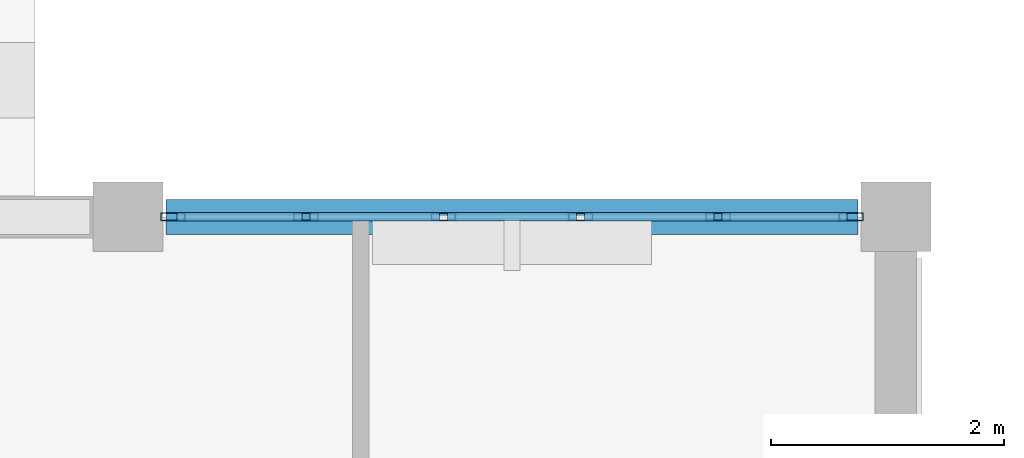
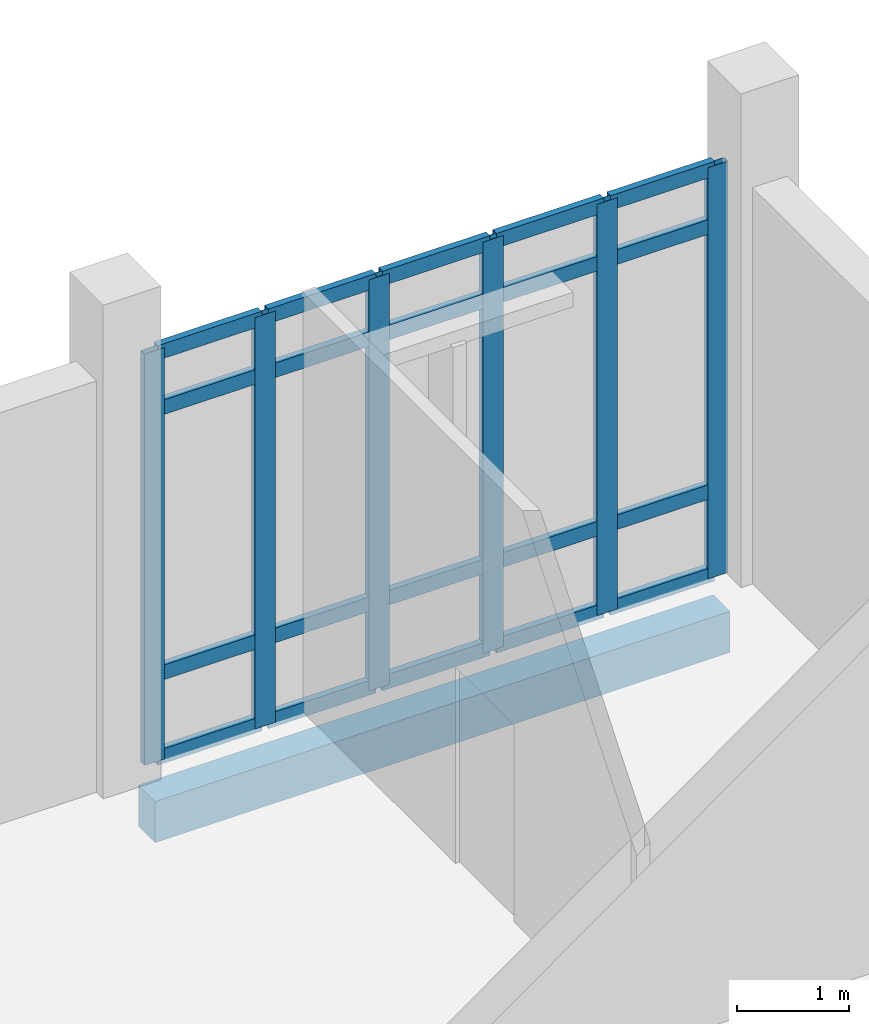
# One storey, part 61 of 110: 26 members, 1 beam, 1 element without a shape of its own.
"""IFC4 building model written with IfcOpenShell, lengths in metres."""

from ifc_helpers import new_model, si_unit, direction, frame, origin, origin_2d, place, context, subcontext, project, spatial, rectangle, hollow_rectangle, extrude, material, material_profile, profile_set, type_object, element, aggregate, save


model = new_model("IFC4")

# Units and contexts
model_context = context("Model", 3, precision=1e-05, world=origin(), true_north=direction((0.0, 1.0)))
body_context = subcontext(model_context, "Body", "Model", "MODEL_VIEW")
ifc_project = project(units=[si_unit("LENGTHUNIT", "METRE"), si_unit("AREAUNIT", "SQUARE_METRE"), si_unit("VOLUMEUNIT", "CUBIC_METRE"), si_unit("PLANEANGLEUNIT", "RADIAN"), si_unit("MASSUNIT", "GRAM", prefix="KILO")], contexts=[model_context])

# Site, building, storey
site_placement = place(None, origin())
site = spatial("IfcSite", under=ifc_project, at=site_placement, CompositionType="ELEMENT")
building_placement = place(site_placement, origin())
building = spatial("IfcBuilding", under=site, at=building_placement, Name="Kalluvel Institute of Natural Sciences", CompositionType="ELEMENT")
storey_placement = place(building_placement, origin())
storey = spatial("IfcBuildingStorey", under=building, at=storey_placement, Name="L00", CompositionType="ELEMENT", Elevation=0.0)

# Curtain wall, members
ifc_material_1 = material(Name="Aluminium AW-6063 T6", Category="aluminium")
curtain_wall_type = type_object("IfcCurtainWallType", Name="CW-SPAV-45", PredefinedType="USERDEFINED", material=ifc_material_1)
curtain_wall_placement = place(storey_placement, origin())
curtain_wall = element("IfcCurtainWall", 1, at=curtain_wall_placement, inside=storey, type_object=curtain_wall_type, Name="L00 Gothic lancet curtain wall CWA-L00-X1362-Y356", ObjectType="UNITISED LANCET FACADE", PredefinedType="USERDEFINED")
ifc_material_profile_1 = material_profile(ifc_material_1, hollow_rectangle(XDim=0.070068359375, YDim=0.2099609375, WallThickness=0.0048828125, at=origin_2d()), Name="CWM 70x210")
ifc_profile_set_1 = profile_set([ifc_material_profile_1], Name="Aluminium AW-6063 T6")
member_type_1 = type_object("IfcMemberType", Name="CWM-70x210", PredefinedType="MULLION", material=ifc_profile_set_1)
member_1_placement = place(storey_placement, frame((136.18505859375, 35.60009765625, 0.0), z_axis=(0.0, 0.0, 1.0), x_axis=(0.0, 1.0, 0.0)))
member_1 = element("IfcMember", 2, at=member_1_placement, type_object=member_type_1, Name="CW-10 mullion 1", PredefinedType="MULLION", context=body_context, shape_type="SweptSolid", body=[
    extrude(hollow_rectangle(XDim=0.070068359375, YDim=0.2099609375, WallThickness=0.0048828125, at=origin_2d()), origin(), (0.0, 0.0, 1.0), 4.5),
])
member_2_placement = place(storey_placement, frame((137.330078125, 35.60009765625, 0.0), z_axis=(0.0, 0.0, 1.0), x_axis=(0.0, 1.0, 0.0)))
member_2 = element("IfcMember", 3, at=member_2_placement, type_object=member_type_1, Name="CW-10 mullion 2", PredefinedType="MULLION", context=body_context, shape_type="SweptSolid", body=[
    extrude(hollow_rectangle(XDim=0.070068359375, YDim=0.2099609375, WallThickness=0.0048828125, at=origin_2d()), origin(), (0.0, 0.0, 1.0), 4.5),
])
member_3_placement = place(storey_placement, frame((138.510009765625, 35.60009765625, 0.0), z_axis=(0.0, 0.0, 1.0), x_axis=(0.0, 1.0, 0.0)))
member_3 = element("IfcMember", 4, at=member_3_placement, type_object=member_type_1, Name="CW-10 mullion 3", PredefinedType="MULLION", context=body_context, shape_type="SweptSolid", body=[
    extrude(hollow_rectangle(XDim=0.070068359375, YDim=0.2099609375, WallThickness=0.0048828125, at=origin_2d()), origin(), (0.0, 0.0, 1.0), 4.5),
])
member_4_placement = place(storey_placement, frame((139.68994140625, 35.60009765625, 0.0), z_axis=(0.0, 0.0, 1.0), x_axis=(0.0, 1.0, 0.0)))
member_4 = element("IfcMember", 5, at=member_4_placement, type_object=member_type_1, Name="CW-10 mullion 4", PredefinedType="MULLION", context=body_context, shape_type="SweptSolid", body=[
    extrude(hollow_rectangle(XDim=0.070068359375, YDim=0.2099609375, WallThickness=0.0048828125, at=origin_2d()), origin(), (0.0, 0.0, 1.0), 4.5),
])
member_5_placement = place(storey_placement, frame((140.8701171875, 35.60009765625, 0.0), z_axis=(0.0, 0.0, 1.0), x_axis=(0.0, 1.0, 0.0)))
member_5 = element("IfcMember", 6, at=member_5_placement, type_object=member_type_1, Name="CW-10 mullion 5", PredefinedType="MULLION", context=body_context, shape_type="SweptSolid", body=[
    extrude(hollow_rectangle(XDim=0.070068359375, YDim=0.2099609375, WallThickness=0.0048828125, at=origin_2d()), origin(), (0.0, 0.0, 1.0), 4.5),
])
member_6_placement = place(storey_placement, frame((142.014892578125, 35.60009765625, 0.0), z_axis=(0.0, 0.0, 1.0), x_axis=(0.0, 1.0, 0.0)))
member_6 = element("IfcMember", 7, at=member_6_placement, type_object=member_type_1, Name="CW-10 mullion 6", PredefinedType="MULLION", context=body_context, shape_type="SweptSolid", body=[
    extrude(hollow_rectangle(XDim=0.070068359375, YDim=0.2099609375, WallThickness=0.0048828125, at=origin_2d()), origin(), (0.0, 0.0, 1.0), 4.5),
])
ifc_material_profile_2 = material_profile(ifc_material_1, hollow_rectangle(XDim=0.070068359375, YDim=0.159912109375, WallThickness=0.0048828125, at=origin_2d()), Name="CWT 70x160")
ifc_profile_set_2 = profile_set([ifc_material_profile_2], Name="Aluminium AW-6063 T6")
member_type_2 = type_object("IfcMemberType", Name="CWT-70x160", PredefinedType="USERDEFINED", material=ifc_profile_set_2)
member_7_placement = place(storey_placement, frame((136.219970703125, 35.60009765625, 0.034912109375), z_axis=(1.0, 0.0, 0.0), x_axis=(0.0, 1.0, 0.0)))
member_7 = element("IfcMember", 8, at=member_7_placement, type_object=member_type_2, Name="CW-10 transom 1.1", ObjectType="TRANSOM", PredefinedType="USERDEFINED", context=body_context, shape_type="SweptSolid", body=[
    extrude(hollow_rectangle(XDim=0.070068359375, YDim=0.159912109375, WallThickness=0.0048828125, at=origin_2d()), origin(), (0.0, 0.0, 1.0), 1.074951171875),
])
member_8_placement = place(storey_placement, frame((136.219970703125, 35.60009765625, 0.949951171875), z_axis=(1.0, 0.0, 0.0), x_axis=(0.0, 1.0, 0.0)))
member_8 = element("IfcMember", 9, at=member_8_placement, type_object=member_type_2, Name="CW-10 transom 1.2", ObjectType="TRANSOM", PredefinedType="USERDEFINED", context=body_context, shape_type="SweptSolid", body=[
    extrude(hollow_rectangle(XDim=0.070068359375, YDim=0.159912109375, WallThickness=0.0048828125, at=origin_2d()), origin(), (0.0, 0.0, 1.0), 1.074951171875),
])
member_9_placement = place(storey_placement, frame((136.219970703125, 35.60009765625, 3.85009765625), z_axis=(1.0, 0.0, 0.0), x_axis=(0.0, 1.0, 0.0)))
member_9 = element("IfcMember", 10, at=member_9_placement, type_object=member_type_2, Name="CW-10 transom 1.3", ObjectType="TRANSOM", PredefinedType="USERDEFINED", context=body_context, shape_type="SweptSolid", body=[
    extrude(hollow_rectangle(XDim=0.070068359375, YDim=0.159912109375, WallThickness=0.0048828125, at=origin_2d()), origin(), (0.0, 0.0, 1.0), 1.074951171875),
])
member_10_placement = place(storey_placement, frame((136.219970703125, 35.60009765625, 4.465087890625), z_axis=(1.0, 0.0, 0.0), x_axis=(0.0, 1.0, 0.0)))
member_10 = element("IfcMember", 11, at=member_10_placement, type_object=member_type_2, Name="CW-10 transom 1.4", ObjectType="TRANSOM", PredefinedType="USERDEFINED", context=body_context, shape_type="SweptSolid", body=[
    extrude(hollow_rectangle(XDim=0.070068359375, YDim=0.159912109375, WallThickness=0.0048828125, at=origin_2d()), origin(), (0.0, 0.0, 1.0), 1.074951171875),
])
member_11_placement = place(storey_placement, frame((137.364990234375, 35.60009765625, 0.034912109375), z_axis=(1.0, 0.0, 0.0), x_axis=(0.0, 1.0, 0.0)))
member_11 = element("IfcMember", 12, at=member_11_placement, type_object=member_type_2, Name="CW-10 transom 2.1", ObjectType="TRANSOM", PredefinedType="USERDEFINED", context=body_context, shape_type="SweptSolid", body=[
    extrude(hollow_rectangle(XDim=0.070068359375, YDim=0.159912109375, WallThickness=0.0048828125, at=origin_2d()), origin(), (0.0, 0.0, 1.0), 1.110107421875),
])
member_12_placement = place(storey_placement, frame((137.364990234375, 35.60009765625, 0.949951171875), z_axis=(1.0, 0.0, 0.0), x_axis=(0.0, 1.0, 0.0)))
member_12 = element("IfcMember", 13, at=member_12_placement, type_object=member_type_2, Name="CW-10 transom 2.2", ObjectType="TRANSOM", PredefinedType="USERDEFINED", context=body_context, shape_type="SweptSolid", body=[
    extrude(hollow_rectangle(XDim=0.070068359375, YDim=0.159912109375, WallThickness=0.0048828125, at=origin_2d()), origin(), (0.0, 0.0, 1.0), 1.110107421875),
])
member_13_placement = place(storey_placement, frame((137.364990234375, 35.60009765625, 3.85009765625), z_axis=(1.0, 0.0, 0.0), x_axis=(0.0, 1.0, 0.0)))
member_13 = element("IfcMember", 14, at=member_13_placement, type_object=member_type_2, Name="CW-10 transom 2.3", ObjectType="TRANSOM", PredefinedType="USERDEFINED", context=body_context, shape_type="SweptSolid", body=[
    extrude(hollow_rectangle(XDim=0.070068359375, YDim=0.159912109375, WallThickness=0.0048828125, at=origin_2d()), origin(), (0.0, 0.0, 1.0), 1.110107421875),
])
member_14_placement = place(storey_placement, frame((137.364990234375, 35.60009765625, 4.465087890625), z_axis=(1.0, 0.0, 0.0), x_axis=(0.0, 1.0, 0.0)))
member_14 = element("IfcMember", 15, at=member_14_placement, type_object=member_type_2, Name="CW-10 transom 2.4", ObjectType="TRANSOM", PredefinedType="USERDEFINED", context=body_context, shape_type="SweptSolid", body=[
    extrude(hollow_rectangle(XDim=0.070068359375, YDim=0.159912109375, WallThickness=0.0048828125, at=origin_2d()), origin(), (0.0, 0.0, 1.0), 1.110107421875),
])
member_15_placement = place(storey_placement, frame((138.544921875, 35.60009765625, 0.034912109375), z_axis=(1.0, 0.0, 0.0), x_axis=(0.0, 1.0, 0.0)))
member_15 = element("IfcMember", 16, at=member_15_placement, type_object=member_type_2, Name="CW-10 transom 3.1", ObjectType="TRANSOM", PredefinedType="USERDEFINED", context=body_context, shape_type="SweptSolid", body=[
    extrude(hollow_rectangle(XDim=0.070068359375, YDim=0.159912109375, WallThickness=0.0048828125, at=origin_2d()), origin(), (0.0, 0.0, 1.0), 1.110107421875),
])
member_16_placement = place(storey_placement, frame((138.544921875, 35.60009765625, 0.949951171875), z_axis=(1.0, 0.0, 0.0), x_axis=(0.0, 1.0, 0.0)))
member_16 = element("IfcMember", 17, at=member_16_placement, type_object=member_type_2, Name="CW-10 transom 3.2", ObjectType="TRANSOM", PredefinedType="USERDEFINED", context=body_context, shape_type="SweptSolid", body=[
    extrude(hollow_rectangle(XDim=0.070068359375, YDim=0.159912109375, WallThickness=0.0048828125, at=origin_2d()), origin(), (0.0, 0.0, 1.0), 1.110107421875),
])
member_17_placement = place(storey_placement, frame((138.544921875, 35.60009765625, 3.85009765625), z_axis=(1.0, 0.0, 0.0), x_axis=(0.0, 1.0, 0.0)))
member_17 = element("IfcMember", 18, at=member_17_placement, type_object=member_type_2, Name="CW-10 transom 3.3", ObjectType="TRANSOM", PredefinedType="USERDEFINED", context=body_context, shape_type="SweptSolid", body=[
    extrude(hollow_rectangle(XDim=0.070068359375, YDim=0.159912109375, WallThickness=0.0048828125, at=origin_2d()), origin(), (0.0, 0.0, 1.0), 1.110107421875),
])
member_18_placement = place(storey_placement, frame((138.544921875, 35.60009765625, 4.465087890625), z_axis=(1.0, 0.0, 0.0), x_axis=(0.0, 1.0, 0.0)))
member_18 = element("IfcMember", 19, at=member_18_placement, type_object=member_type_2, Name="CW-10 transom 3.4", ObjectType="TRANSOM", PredefinedType="USERDEFINED", context=body_context, shape_type="SweptSolid", body=[
    extrude(hollow_rectangle(XDim=0.070068359375, YDim=0.159912109375, WallThickness=0.0048828125, at=origin_2d()), origin(), (0.0, 0.0, 1.0), 1.110107421875),
])
member_19_placement = place(storey_placement, frame((139.72509765625, 35.60009765625, 0.034912109375), z_axis=(1.0, 0.0, 0.0), x_axis=(0.0, 1.0, 0.0)))
member_19 = element("IfcMember", 20, at=member_19_placement, type_object=member_type_2, Name="CW-10 transom 4.1", ObjectType="TRANSOM", PredefinedType="USERDEFINED", context=body_context, shape_type="SweptSolid", body=[
    extrude(hollow_rectangle(XDim=0.070068359375, YDim=0.159912109375, WallThickness=0.0048828125, at=origin_2d()), origin(), (0.0, 0.0, 1.0), 1.10986328125),
])
member_20_placement = place(storey_placement, frame((139.72509765625, 35.60009765625, 0.949951171875), z_axis=(1.0, 0.0, 0.0), x_axis=(0.0, 1.0, 0.0)))
member_20 = element("IfcMember", 21, at=member_20_placement, type_object=member_type_2, Name="CW-10 transom 4.2", ObjectType="TRANSOM", PredefinedType="USERDEFINED", context=body_context, shape_type="SweptSolid", body=[
    extrude(hollow_rectangle(XDim=0.070068359375, YDim=0.159912109375, WallThickness=0.0048828125, at=origin_2d()), origin(), (0.0, 0.0, 1.0), 1.10986328125),
])
member_21_placement = place(storey_placement, frame((139.72509765625, 35.60009765625, 3.85009765625), z_axis=(1.0, 0.0, 0.0), x_axis=(0.0, 1.0, 0.0)))
member_21 = element("IfcMember", 22, at=member_21_placement, type_object=member_type_2, Name="CW-10 transom 4.3", ObjectType="TRANSOM", PredefinedType="USERDEFINED", context=body_context, shape_type="SweptSolid", body=[
    extrude(hollow_rectangle(XDim=0.070068359375, YDim=0.159912109375, WallThickness=0.0048828125, at=origin_2d()), origin(), (0.0, 0.0, 1.0), 1.10986328125),
])
member_22_placement = place(storey_placement, frame((139.72509765625, 35.60009765625, 4.465087890625), z_axis=(1.0, 0.0, 0.0), x_axis=(0.0, 1.0, 0.0)))
member_22 = element("IfcMember", 23, at=member_22_placement, type_object=member_type_2, Name="CW-10 transom 4.4", ObjectType="TRANSOM", PredefinedType="USERDEFINED", context=body_context, shape_type="SweptSolid", body=[
    extrude(hollow_rectangle(XDim=0.070068359375, YDim=0.159912109375, WallThickness=0.0048828125, at=origin_2d()), origin(), (0.0, 0.0, 1.0), 1.10986328125),
])
member_23_placement = place(storey_placement, frame((140.905029296875, 35.60009765625, 0.034912109375), z_axis=(1.0, 0.0, 0.0), x_axis=(0.0, 1.0, 0.0)))
member_23 = element("IfcMember", 24, at=member_23_placement, type_object=member_type_2, Name="CW-10 transom 5.1", ObjectType="TRANSOM", PredefinedType="USERDEFINED", context=body_context, shape_type="SweptSolid", body=[
    extrude(hollow_rectangle(XDim=0.070068359375, YDim=0.159912109375, WallThickness=0.0048828125, at=origin_2d()), origin(), (0.0, 0.0, 1.0), 1.074951171875),
])
member_24_placement = place(storey_placement, frame((140.905029296875, 35.60009765625, 0.949951171875), z_axis=(1.0, 0.0, 0.0), x_axis=(0.0, 1.0, 0.0)))
member_24 = element("IfcMember", 25, at=member_24_placement, type_object=member_type_2, Name="CW-10 transom 5.2", ObjectType="TRANSOM", PredefinedType="USERDEFINED", context=body_context, shape_type="SweptSolid", body=[
    extrude(hollow_rectangle(XDim=0.070068359375, YDim=0.159912109375, WallThickness=0.0048828125, at=origin_2d()), origin(), (0.0, 0.0, 1.0), 1.074951171875),
])
member_25_placement = place(storey_placement, frame((140.905029296875, 35.60009765625, 3.85009765625), z_axis=(1.0, 0.0, 0.0), x_axis=(0.0, 1.0, 0.0)))
member_25 = element("IfcMember", 26, at=member_25_placement, type_object=member_type_2, Name="CW-10 transom 5.3", ObjectType="TRANSOM", PredefinedType="USERDEFINED", context=body_context, shape_type="SweptSolid", body=[
    extrude(hollow_rectangle(XDim=0.070068359375, YDim=0.159912109375, WallThickness=0.0048828125, at=origin_2d()), origin(), (0.0, 0.0, 1.0), 1.074951171875),
])
member_26_placement = place(storey_placement, frame((140.905029296875, 35.60009765625, 4.465087890625), z_axis=(1.0, 0.0, 0.0), x_axis=(0.0, 1.0, 0.0)))
member_26 = element("IfcMember", 27, at=member_26_placement, type_object=member_type_2, Name="CW-10 transom 5.4", ObjectType="TRANSOM", PredefinedType="USERDEFINED", context=body_context, shape_type="SweptSolid", body=[
    extrude(hollow_rectangle(XDim=0.070068359375, YDim=0.159912109375, WallThickness=0.0048828125, at=origin_2d()), origin(), (0.0, 0.0, 1.0), 1.074951171875),
])
aggregate(curtain_wall, [member_1, member_2, member_3, member_4, member_5, member_6, member_7, member_8, member_9, member_10, member_11, member_12, member_13, member_14, member_15, member_16, member_17, member_18, member_19, member_20, member_21, member_22, member_23, member_24, member_25, member_26])

# Beam
ifc_material_2 = material(Name="Concrete M40", Category="concrete")
ifc_material_profile_3 = material_profile(ifc_material_2, rectangle(XDim=0.300048828125, YDim=0.449951171875, at=origin_2d()), Name="RCB 300x450")
ifc_profile_set_3 = profile_set([ifc_material_profile_3], Name="Concrete M40")
beam_type = type_object("IfcBeamType", Name="SP-RC300x450", PredefinedType="SPANDREL", material=ifc_profile_set_3)
beam_placement = place(storey_placement, frame((136.125, 35.60009765625, -0.56494140625), z_axis=(1.0, 0.0, 0.0), x_axis=(0.0, 1.0, 0.0)))
element("IfcBeam", 28, at=beam_placement, inside=storey, type_object=beam_type, Name="L00 girder GIR-L00-EW-X1358-Y356", PredefinedType="SPANDREL", context=body_context, shape_type="SweptSolid", body=[
    extrude(rectangle(XDim=0.300048828125, YDim=0.449951171875, at=origin_2d()), origin(), (0.0, 0.0, 1.0), 5.949951171875),
])

save(model, "model.ifc")
